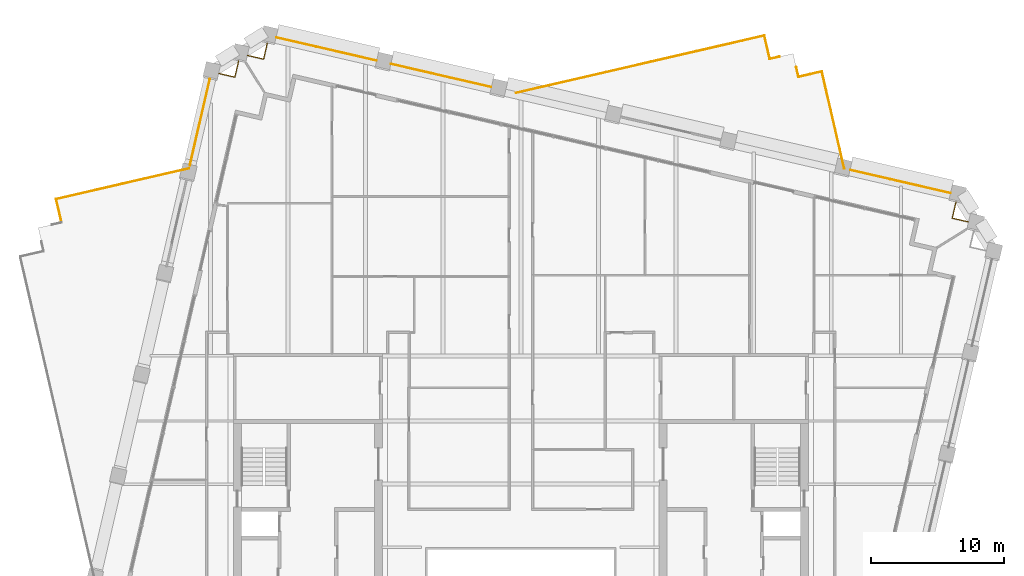
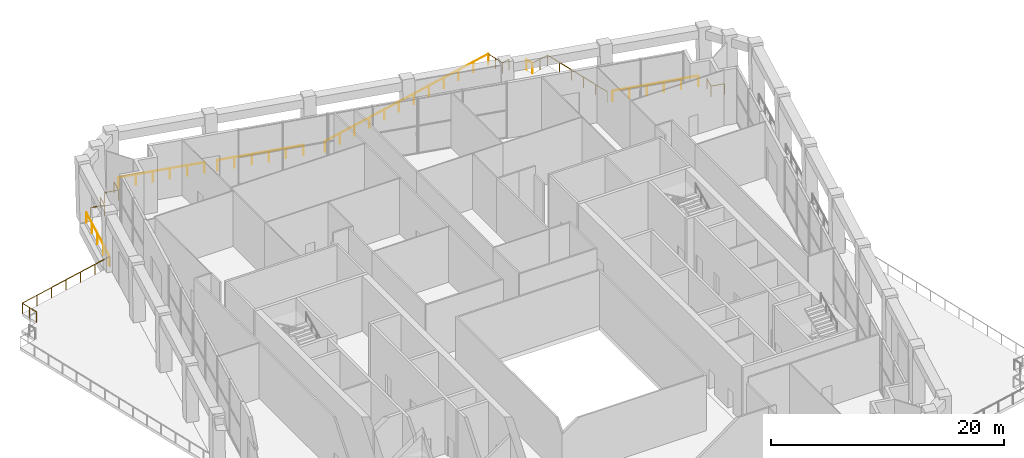
# One storey, part 21 of 21: 15 railings.
"""IFC4 building model written with IfcOpenShell, lengths in metres."""

from ifc_helpers import new_model, si_unit, direction, frame, origin, origin_2d, place, context, subcontext, project, spatial, circle, extrude, material, type_object, element, save


model = new_model("IFC4")

# Units and contexts
model_context = context("Model", 3, precision=1e-05, world=origin(), true_north=direction((0.0, 1.0)))
body_context = subcontext(model_context, "Body", "Model", "MODEL_VIEW")
ifc_project = project(units=[si_unit("LENGTHUNIT", "METRE"), si_unit("AREAUNIT", "SQUARE_METRE"), si_unit("VOLUMEUNIT", "CUBIC_METRE"), si_unit("PLANEANGLEUNIT", "RADIAN"), si_unit("MASSUNIT", "GRAM", prefix="KILO")], contexts=[model_context])

# Site, building, storey
site_placement = place(None, origin())
site = spatial("IfcSite", under=ifc_project, at=site_placement, CompositionType="ELEMENT")
building_placement = place(site_placement, origin())
building = spatial("IfcBuilding", under=site, at=building_placement, Name="Ogive Exchange Tower", CompositionType="ELEMENT")
storey_placement = place(building_placement, frame((0.0, 0.0, 237.0)))
storey = spatial("IfcBuildingStorey", under=building, at=storey_placement, Name="L51", CompositionType="ELEMENT", Elevation=237.0)

# Railings
ifc_material = material(Name="Stainless steel 316", Category="steel")
railing_type_1 = type_object("IfcRailingType", Name="Balustrade 1100 glass and stainless steel", PredefinedType="BALUSTRADE", material=ifc_material)
railing_1_placement = place(storey_placement, frame((-34.49609375, 40.55908203125, 0.0)))
element("IfcRailing", 1, at=railing_1_placement, inside=storey, type_object=railing_type_1, Name="Terrace balustrade 16", PredefinedType="BALUSTRADE", context=body_context, shape_type="SweptSolid", body=[
    extrude(circle(Radius=0.02392578125, at=origin_2d()), frame((0.0, 0.0, 1.076171875), z_axis=(-0.224879318197, 0.974386623598, 0.0), x_axis=(-0.974386623598, -0.224879318197, 0.0)), (0.0, 0.0, 1.0), 1.800048828125),
    extrude(circle(Radius=0.02099609375, at=origin_2d()), origin(), (0.0, 0.0, 1.0), 1.052001953125),
    extrude(circle(Radius=0.02099609375, at=origin_2d()), frame((-0.202392578125, 0.876953125, 0.0)), (0.0, 0.0, 1.0), 1.052001953125),
    extrude(circle(Radius=0.02099609375, at=origin_2d()), frame((-0.40478515625, 1.75390625, 0.0)), (0.0, 0.0, 1.0), 1.052001953125),
])
railing_2_placement = place(storey_placement, frame((-34.90087890625, 42.31298828125, 0.0)))
element("IfcRailing", 2, at=railing_2_placement, inside=storey, type_object=railing_type_1, Name="Terrace balustrade 17", PredefinedType="BALUSTRADE", context=body_context, shape_type="SweptSolid", body=[
    extrude(circle(Radius=0.02392578125, at=origin_2d()), frame((0.0, 0.0, 1.076171875), z_axis=(0.974369113087, 0.224955176561, 0.0), x_axis=(-0.224955176561, 0.974369113087, 0.0)), (0.0, 0.0, 1.0), 10.25048828125),
    extrude(circle(Radius=0.02099609375, at=origin_2d()), origin(), (0.0, 0.0, 1.0), 1.052001953125),
    extrude(circle(Radius=0.02099609375, at=origin_2d()), frame((1.66455078125, 0.38427734375, 0.0)), (0.0, 0.0, 1.0), 1.052001953125),
    extrude(circle(Radius=0.02099609375, at=origin_2d()), frame((3.329345703125, 0.7685546875, 0.0)), (0.0, 0.0, 1.0), 1.052001953125),
    extrude(circle(Radius=0.02099609375, at=origin_2d()), frame((4.993896484375, 1.15283203125, 0.0)), (0.0, 0.0, 1.0), 1.052001953125),
    extrude(circle(Radius=0.02099609375, at=origin_2d()), frame((6.658447265625, 1.537353515625, 0.0)), (0.0, 0.0, 1.0), 1.052001953125),
    extrude(circle(Radius=0.02099609375, at=origin_2d()), frame((8.3232421875, 1.921630859375, 0.0)), (0.0, 0.0, 1.0), 1.052001953125),
    extrude(circle(Radius=0.02099609375, at=origin_2d()), frame((9.98779296875, 2.305908203125, 0.0)), (0.0, 0.0, 1.0), 1.052001953125),
])
railing_3_placement = place(storey_placement, frame((18.299560546875, 54.595458984375, 0.0)))
element("IfcRailing", 3, at=railing_3_placement, inside=storey, type_object=railing_type_1, Name="Terrace balustrade 19", PredefinedType="BALUSTRADE", context=body_context, shape_type="SweptSolid", body=[
    extrude(circle(Radius=0.02392578125, at=origin_2d()), frame((0.0, 0.0, 1.076171875), z_axis=(0.225008086135, -0.974356896201, 0.0), x_axis=(0.974356896201, 0.225008086135, 0.0)), (0.0, 0.0, 1.0), 1.800048828125),
    extrude(circle(Radius=0.02099609375, at=origin_2d()), origin(), (0.0, 0.0, 1.0), 1.052001953125),
    extrude(circle(Radius=0.02099609375, at=origin_2d()), frame((0.20263671875, -0.876953125, 0.0)), (0.0, 0.0, 1.0), 1.052001953125),
    extrude(circle(Radius=0.02099609375, at=origin_2d()), frame((0.405029296875, -1.75390625, 0.0)), (0.0, 0.0, 1.0), 1.052001953125),
])
railing_4_placement = place(storey_placement, frame((18.70458984375, 52.841552734375, 0.0)))
element("IfcRailing", 4, at=railing_4_placement, inside=storey, type_object=railing_type_1, Name="Terrace balustrade 20", PredefinedType="BALUSTRADE", context=body_context, shape_type="SweptSolid", body=[
    extrude(circle(Radius=0.02392578125, at=origin_2d()), frame((0.0, 0.0, 1.076171875), z_axis=(0.974336263949, 0.225097411698, 0.0), x_axis=(-0.225097411698, 0.974336263949, 0.0)), (0.0, 0.0, 1.0), 0.74951171875),
    extrude(circle(Radius=0.02099609375, at=origin_2d()), origin(), (0.0, 0.0, 1.0), 1.052001953125),
    extrude(circle(Radius=0.02099609375, at=origin_2d()), frame((0.730224609375, 0.168701171875, 0.0)), (0.0, 0.0, 1.0), 1.052001953125),
])
railing_5_placement = place(storey_placement, frame((20.694580078125, 52.222900390625, 0.0)))
element("IfcRailing", 5, at=railing_5_placement, inside=storey, type_object=railing_type_1, Name="Terrace balustrade 21", PredefinedType="BALUSTRADE", context=body_context, shape_type="SweptSolid", body=[
    extrude(circle(Radius=0.02392578125, at=origin_2d()), frame((0.0, 0.0, 1.076171875), z_axis=(0.225097411698, -0.974336263949, 0.0), x_axis=(0.974336263949, 0.225097411698, 0.0)), (0.0, 0.0, 1.0), 0.74951171875),
    extrude(circle(Radius=0.02099609375, at=origin_2d()), origin(), (0.0, 0.0, 1.0), 1.052001953125),
    extrude(circle(Radius=0.02099609375, at=origin_2d()), frame((0.168701171875, -0.730224609375, 0.0)), (0.0, 0.0, 1.0), 1.052001953125),
])
railing_6_placement = place(storey_placement, frame((20.86328125, 51.49267578125, 0.0)))
element("IfcRailing", 6, at=railing_6_placement, inside=storey, type_object=railing_type_1, Name="Terrace balustrade 22", PredefinedType="BALUSTRADE", context=body_context, shape_type="SweptSolid", body=[
    extrude(circle(Radius=0.02392578125, at=origin_2d()), frame((0.0, 0.0, 1.076171875), z_axis=(0.974386623598, 0.224879318197, 0.0), x_axis=(-0.224879318197, 0.974386623598, 0.0)), (0.0, 0.0, 1.0), 1.800048828125),
    extrude(circle(Radius=0.02099609375, at=origin_2d()), origin(), (0.0, 0.0, 1.0), 1.052001953125),
    extrude(circle(Radius=0.02099609375, at=origin_2d()), frame((0.876953125, 0.202392578125, 0.0)), (0.0, 0.0, 1.0), 1.052001953125),
    extrude(circle(Radius=0.02099609375, at=origin_2d()), frame((1.75390625, 0.40478515625, 0.0)), (0.0, 0.0, 1.0), 1.052001953125),
])
railing_7_placement = place(storey_placement, frame((22.6171875, 51.8974609375, 0.0)))
element("IfcRailing", 7, at=railing_7_placement, inside=storey, type_object=railing_type_1, Name="Terrace balustrade 23", PredefinedType="BALUSTRADE", context=body_context, shape_type="SweptSolid", body=[
    extrude(circle(Radius=0.02392578125, at=origin_2d()), frame((0.0, 0.0, 1.076171875), z_axis=(0.224964291449, -0.974367008664, 0.0), x_axis=(0.974367008664, 0.224964291449, 0.0)), (0.0, 0.0, 1.0), 7.487060546875),
    extrude(circle(Radius=0.02099609375, at=origin_2d()), origin(), (0.0, 0.0, 1.0), 1.052001953125),
    extrude(circle(Radius=0.02099609375, at=origin_2d()), frame((0.3369140625, -1.458984375, 0.0)), (0.0, 0.0, 1.0), 1.052001953125),
    extrude(circle(Radius=0.02099609375, at=origin_2d()), frame((0.673828125, -2.91796875, 0.0)), (0.0, 0.0, 1.0), 1.052001953125),
    extrude(circle(Radius=0.02099609375, at=origin_2d()), frame((1.010498046875, -4.377197265625, 0.0)), (0.0, 0.0, 1.0), 1.052001953125),
    extrude(circle(Radius=0.02099609375, at=origin_2d()), frame((1.347412109375, -5.836181640625, 0.0)), (0.0, 0.0, 1.0), 1.052001953125),
    extrude(circle(Radius=0.02099609375, at=origin_2d()), frame((1.684326171875, -7.295166015625, 0.0)), (0.0, 0.0, 1.0), 1.052001953125),
])
railing_8_placement = place(storey_placement, frame((-0.341796875, 50.291748046875, 0.0)))
element("IfcRailing", 8, at=railing_8_placement, inside=storey, type_object=railing_type_1, Name="Terrace balustrade 24", PredefinedType="BALUSTRADE", context=body_context, shape_type="SweptSolid", body=[
    extrude(circle(Radius=0.02392578125, at=origin_2d()), frame((0.0, 0.0, 1.076171875), z_axis=(0.974369899014, 0.224951772377, 0.0), x_axis=(-0.224951772377, 0.974369899014, 0.0)), (0.0, 0.0, 1.0), 19.131591796875),
    extrude(circle(Radius=0.02099609375, at=origin_2d()), origin(), (0.0, 0.0, 1.0), 1.052001953125),
    extrude(circle(Radius=0.02099609375, at=origin_2d()), frame((1.694580078125, 0.391357421875, 0.0)), (0.0, 0.0, 1.0), 1.052001953125),
    extrude(circle(Radius=0.02099609375, at=origin_2d()), frame((3.389404296875, 0.782470703125, 0.0)), (0.0, 0.0, 1.0), 1.052001953125),
    extrude(circle(Radius=0.02099609375, at=origin_2d()), frame((5.083984375, 1.173828125, 0.0)), (0.0, 0.0, 1.0), 1.052001953125),
    extrude(circle(Radius=0.02099609375, at=origin_2d()), frame((6.778564453125, 1.56494140625, 0.0)), (0.0, 0.0, 1.0), 1.052001953125),
    extrude(circle(Radius=0.02099609375, at=origin_2d()), frame((8.473388671875, 1.956298828125, 0.0)), (0.0, 0.0, 1.0), 1.052001953125),
    extrude(circle(Radius=0.02099609375, at=origin_2d()), frame((10.16796875, 2.347412109375, 0.0)), (0.0, 0.0, 1.0), 1.052001953125),
    extrude(circle(Radius=0.02099609375, at=origin_2d()), frame((11.86279296875, 2.73876953125, 0.0)), (0.0, 0.0, 1.0), 1.052001953125),
    extrude(circle(Radius=0.02099609375, at=origin_2d()), frame((13.557373046875, 3.1298828125, 0.0)), (0.0, 0.0, 1.0), 1.052001953125),
    extrude(circle(Radius=0.02099609375, at=origin_2d()), frame((15.251953125, 3.521240234375, 0.0)), (0.0, 0.0, 1.0), 1.052001953125),
    extrude(circle(Radius=0.02099609375, at=origin_2d()), frame((16.94677734375, 3.912353515625, 0.0)), (0.0, 0.0, 1.0), 1.052001953125),
    extrude(circle(Radius=0.02099609375, at=origin_2d()), frame((18.641357421875, 4.3037109375, 0.0)), (0.0, 0.0, 1.0), 1.052001953125),
])
railing_type_2 = type_object("IfcRailingType", Name="Guard 1100 stainless steel and glass", PredefinedType="GUARDRAIL", material=ifc_material)
for number, where, name in (
    (9, (32.26513671875, 42.763916015625, 0.0), "Loggia guard N00"),
    (10, (-2.2275390625, 50.72705078125, 0.0), "Loggia guard N04"),
):
    element("IfcRailing", number, at=place(storey_placement, frame(where)), inside=storey, type_object=railing_type_2, Name=name, PredefinedType="GUARDRAIL", context=body_context, shape_type="SweptSolid", body=[
        extrude(circle(Radius=0.02392578125, at=origin_2d()), frame((0.0, 0.0, 1.076171875), z_axis=(-0.974370377867, 0.224949698234, 0.0), x_axis=(-0.224949698234, -0.974370377867, 0.0)), (0.0, 0.0, 1.0), 7.7099609375),
        extrude(circle(Radius=0.02099609375, at=origin_2d()), origin(), (0.0, 0.0, 1.0), 1.052001953125),
        extrude(circle(Radius=0.02099609375, at=origin_2d()), frame((-1.50244140625, 0.346923828125, 0.0)), (0.0, 0.0, 1.0), 1.052001953125),
        extrude(circle(Radius=0.02099609375, at=origin_2d()), frame((-3.0048828125, 0.69384765625, 0.0)), (0.0, 0.0, 1.0), 1.052001953125),
        extrude(circle(Radius=0.02099609375, at=origin_2d()), frame((-4.507568359375, 1.04052734375, 0.0)), (0.0, 0.0, 1.0), 1.052001953125),
        extrude(circle(Radius=0.02099609375, at=origin_2d()), frame((-6.010009765625, 1.387451171875, 0.0)), (0.0, 0.0, 1.0), 1.052001953125),
        extrude(circle(Radius=0.02099609375, at=origin_2d()), frame((-7.512451171875, 1.734375, 0.0)), (0.0, 0.0, 1.0), 1.052001953125),
    ])
railing_9_placement = place(storey_placement, frame((-10.850830078125, 52.718017578125, 0.0)))
element("IfcRailing", 11, at=railing_9_placement, inside=storey, type_object=railing_type_2, Name="Loggia guard N05", PredefinedType="GUARDRAIL", context=body_context, shape_type="SweptSolid", body=[
    extrude(circle(Radius=0.02392578125, at=origin_2d()), frame((0.0, 0.0, 1.076171875), z_axis=(-0.974368775458, 0.224956638962, 0.0), x_axis=(-0.224956638962, -0.974368775458, 0.0)), (0.0, 0.0, 1.0), 7.709716796875),
    extrude(circle(Radius=0.02099609375, at=origin_2d()), origin(), (0.0, 0.0, 1.0), 1.052001953125),
    extrude(circle(Radius=0.02099609375, at=origin_2d()), frame((-1.50244140625, 0.346923828125, 0.0)), (0.0, 0.0, 1.0), 1.052001953125),
    extrude(circle(Radius=0.02099609375, at=origin_2d()), frame((-3.0048828125, 0.69384765625, 0.0)), (0.0, 0.0, 1.0), 1.052001953125),
    extrude(circle(Radius=0.02099609375, at=origin_2d()), frame((-4.50732421875, 1.04052734375, 0.0)), (0.0, 0.0, 1.0), 1.052001953125),
    extrude(circle(Radius=0.02099609375, at=origin_2d()), frame((-6.009765625, 1.387451171875, 0.0)), (0.0, 0.0, 1.0), 1.052001953125),
    extrude(circle(Radius=0.02099609375, at=origin_2d()), frame((-7.51220703125, 1.734375, 0.0)), (0.0, 0.0, 1.0), 1.052001953125),
])
railing_10_placement = place(storey_placement, frame((-23.3642578125, 51.3271484375, 0.0)))
element("IfcRailing", 12, at=railing_10_placement, inside=storey, type_object=railing_type_2, Name="Loggia guard W00", PredefinedType="GUARDRAIL", context=body_context, shape_type="SweptSolid", body=[
    extrude(circle(Radius=0.02392578125, at=origin_2d()), frame((0.0, 0.0, 1.076171875), z_axis=(-0.224969272902, -0.97436585852, 0.0), x_axis=(0.97436585852, -0.224969272902, 0.0)), (0.0, 0.0, 1.0), 6.659912109375),
    extrude(circle(Radius=0.02099609375, at=origin_2d()), origin(), (0.0, 0.0, 1.0), 1.052001953125),
    extrude(circle(Radius=0.02099609375, at=origin_2d()), frame((-0.37451171875, -1.622314453125, 0.0)), (0.0, 0.0, 1.0), 1.052001953125),
    extrude(circle(Radius=0.02099609375, at=origin_2d()), frame((-0.7490234375, -3.24462890625, 0.0)), (0.0, 0.0, 1.0), 1.052001953125),
    extrude(circle(Radius=0.02099609375, at=origin_2d()), frame((-1.123779296875, -4.866943359375, 0.0)), (0.0, 0.0, 1.0), 1.052001953125),
    extrude(circle(Radius=0.02099609375, at=origin_2d()), frame((-1.498291015625, -6.4892578125, 0.0)), (0.0, 0.0, 1.0), 1.052001953125),
])
railing_11_placement = place(storey_placement, frame((33.614013671875, 40.60498046875, 0.0)))
element("IfcRailing", 13, at=railing_11_placement, inside=storey, type_object=railing_type_2, Name="Loggia guard C22", PredefinedType="GUARDRAIL", context=body_context, shape_type="SweptSolid", body=[
    extrude(circle(Radius=0.02392578125, at=origin_2d()), frame((0.0, 0.0, 1.076171875), z_axis=(-0.974384504609, 0.224888499434, 0.0), x_axis=(-0.224888499434, -0.974384504609, 0.0)), (0.0, 0.0, 1.0), 1.22998046875),
    extrude(circle(Radius=0.02392578125, at=origin_2d()), frame((-1.198486328125, 0.276611328125, 1.076171875), z_axis=(0.225076937652, 0.974340993768, 0.0), x_axis=(-0.974340993768, 0.225076937652, 0.0)), (0.0, 0.0, 1.0), 1.22998046875),
    extrude(circle(Radius=0.02099609375, at=origin_2d()), origin(), (0.0, 0.0, 1.0), 1.052001953125),
    extrude(circle(Radius=0.02099609375, at=origin_2d()), frame((-1.198486328125, 0.276611328125, 0.0)), (0.0, 0.0, 1.0), 1.052001953125),
    extrude(circle(Radius=0.02099609375, at=origin_2d()), frame((-0.921630859375, 1.47509765625, 0.0)), (0.0, 0.0, 1.0), 1.052001953125),
])
railing_12_placement = place(storey_placement, frame((-19.046875, 54.025146484375, 0.0)))
element("IfcRailing", 14, at=railing_12_placement, inside=storey, type_object=railing_type_2, Name="Loggia guard C31", PredefinedType="GUARDRAIL", context=body_context, shape_type="SweptSolid", body=[
    extrude(circle(Radius=0.02392578125, at=origin_2d()), frame((0.0, 0.0, 1.076171875), z_axis=(-0.224888499434, -0.974384504609, 0.0), x_axis=(0.974384504609, -0.224888499434, 0.0)), (0.0, 0.0, 1.0), 1.22998046875),
    extrude(circle(Radius=0.02392578125, at=origin_2d()), frame((-0.276611328125, -1.198486328125, 1.076171875), z_axis=(-0.974384504609, 0.224888499434, 0.0), x_axis=(-0.224888499434, -0.974384504609, 0.0)), (0.0, 0.0, 1.0), 1.22998046875),
    extrude(circle(Radius=0.02099609375, at=origin_2d()), origin(), (0.0, 0.0, 1.0), 1.052001953125),
    extrude(circle(Radius=0.02099609375, at=origin_2d()), frame((-0.276611328125, -1.198486328125, 0.0)), (0.0, 0.0, 1.0), 1.052001953125),
    extrude(circle(Radius=0.02099609375, at=origin_2d()), frame((-1.47509765625, -0.921875, 0.0)), (0.0, 0.0, 1.0), 1.052001953125),
])
railing_13_placement = place(storey_placement, frame((-21.20556640625, 52.676025390625, 0.0)))
element("IfcRailing", 15, at=railing_13_placement, inside=storey, type_object=railing_type_2, Name="Loggia guard C32", PredefinedType="GUARDRAIL", context=body_context, shape_type="SweptSolid", body=[
    extrude(circle(Radius=0.02392578125, at=origin_2d()), frame((0.0, 0.0, 1.076171875), z_axis=(-0.224932002185, -0.974374463127, 0.0), x_axis=(0.974374463127, -0.224932002185, 0.0)), (0.0, 0.0, 1.0), 1.229736328125),
    extrude(circle(Radius=0.02392578125, at=origin_2d()), frame((-0.276611328125, -1.1982421875, 1.076171875), z_axis=(-0.974384504609, 0.224888499434, 0.0), x_axis=(-0.224888499434, -0.974384504609, 0.0)), (0.0, 0.0, 1.0), 1.22998046875),
    extrude(circle(Radius=0.02099609375, at=origin_2d()), origin(), (0.0, 0.0, 1.0), 1.052001953125),
    extrude(circle(Radius=0.02099609375, at=origin_2d()), frame((-0.276611328125, -1.1982421875, 0.0)), (0.0, 0.0, 1.0), 1.052001953125),
    extrude(circle(Radius=0.02099609375, at=origin_2d()), frame((-1.47509765625, -0.921630859375, 0.0)), (0.0, 0.0, 1.0), 1.052001953125),
])

save(model, "model.ifc")
